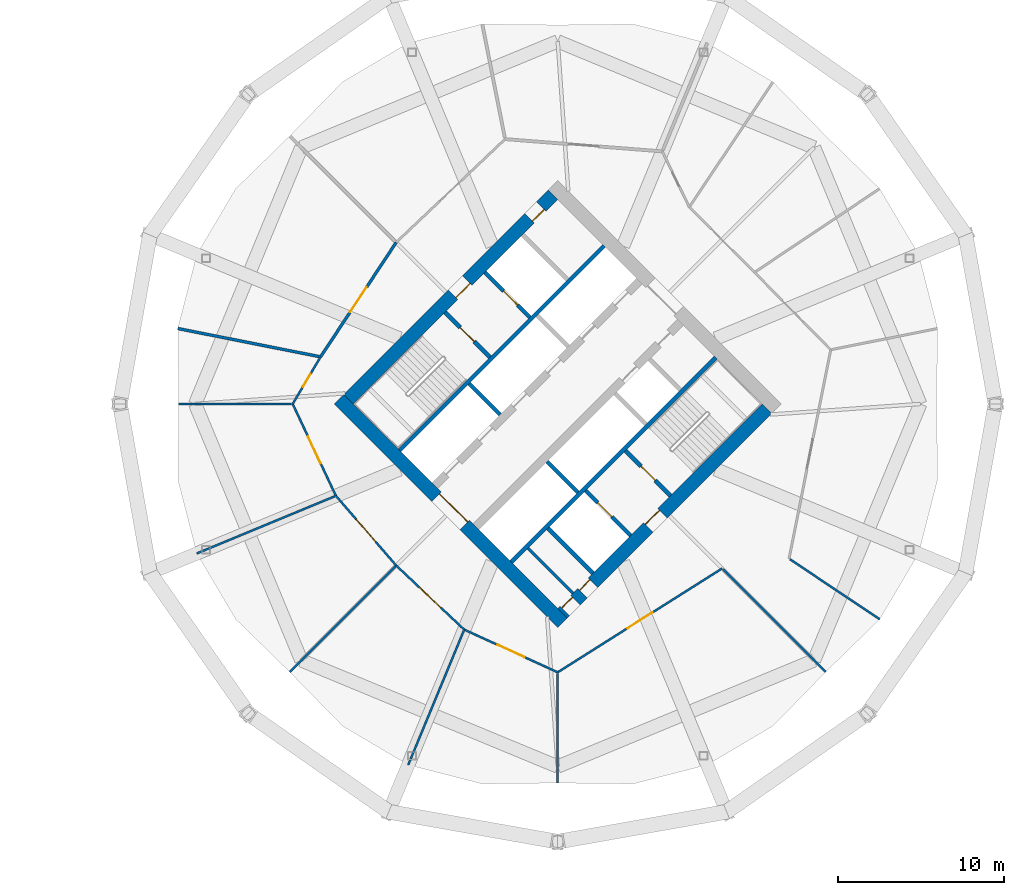
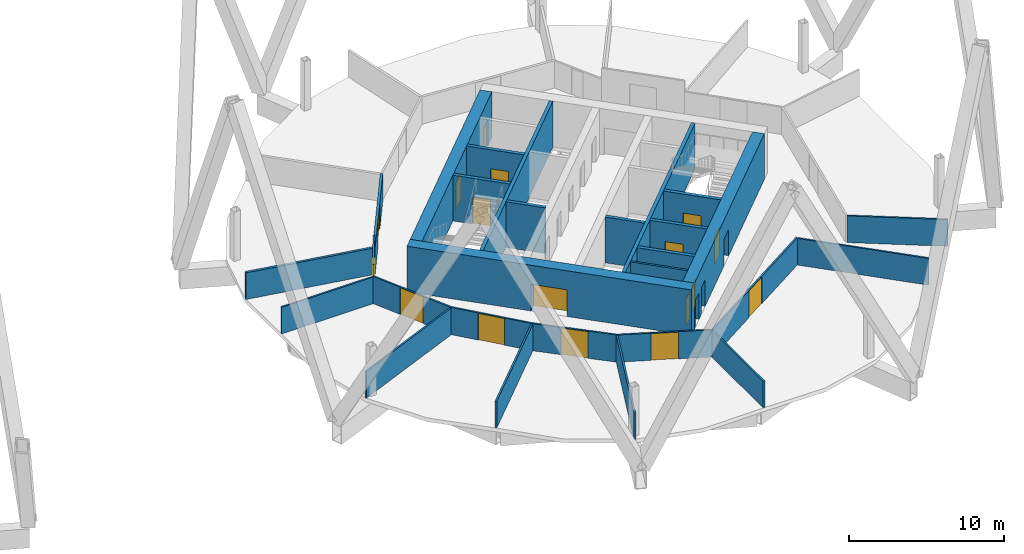
# One storey, part 6 of 9: 28 walls, 17 doors, 17 openings.
"""IFC4 building model written with IfcOpenShell, lengths in metres."""

from ifc_helpers import new_model, si_unit, direction, frame, frame_2d, origin, place, context, subcontext, project, spatial, rectangle, extrude, material, layer, layer_set, type_object, element, fill, save


model = new_model("IFC4")

# Units and contexts
model_context = context("Model", 3, precision=1e-05, world=origin(), true_north=direction((0.0, 1.0)))
body_context = subcontext(model_context, "Body", "Model", "MODEL_VIEW")
ifc_project = project(units=[si_unit("LENGTHUNIT", "METRE"), si_unit("AREAUNIT", "SQUARE_METRE"), si_unit("VOLUMEUNIT", "CUBIC_METRE"), si_unit("PLANEANGLEUNIT", "RADIAN"), si_unit("MASSUNIT", "GRAM", prefix="KILO")], contexts=[model_context])

# Site, building, storey
site_placement = place(None, origin())
site = spatial("IfcSite", under=ifc_project, at=site_placement, CompositionType="ELEMENT")
building_placement = place(site_placement, origin())
building = spatial("IfcBuilding", under=site, at=building_placement, Name="Ogive Gate Towers", CompositionType="ELEMENT")
storey_placement = place(building_placement, frame((0.0, 0.0, 51.89990234375)))
storey = spatial("IfcBuildingStorey", under=building, at=storey_placement, Name="L11", CompositionType="ELEMENT", Elevation=51.89990234375)

# Wall
ifc_material_1 = material(Name="Gypsum board acoustic partition")
ifc_layer_1 = layer(ifc_material_1, 0.175048828125)
ifc_layer_set_1 = layer_set([ifc_layer_1], Name="Acoustic partition 175")
wall_type_1 = type_object("IfcWallType", Name="Acoustic partition 175", PredefinedType="PARTITIONING", material=ifc_layer_set_1)
wall_1_placement = place(storey_placement, frame((13.146728515625, 4.5380859375, 0.0), z_axis=(0.0, 0.0, 1.0), x_axis=(0.980848307459, -0.194773195677, 0.0)))
element("IfcWall", 1, at=wall_1_placement, inside=storey, type_object=wall_type_1, Name="Partition T2-L11-007", PredefinedType="PARTITIONING", context=body_context, shape_type="SweptSolid", body=[
    extrude(rectangle(XDim=8.67138671875, YDim=0.175048828125, at=frame_2d((4.335693359375, 0.0))), origin(), (0.0, 0.0, 1.0), 2.10009765625),
])

# Wall, opening, door
wall_2_placement = place(storey_placement, frame((26.284423828125, 9.715576171875, 0.0), z_axis=(0.0, 0.0, 1.0), x_axis=(-0.551136963792, -0.834414793219, 0.0)))
wall_2 = element("IfcWall", 2, at=wall_2_placement, inside=storey, type_object=wall_type_1, Name="Partition T2-L11-021", PredefinedType="PARTITIONING", context=body_context, shape_type="SweptSolid", body=[
    extrude(rectangle(XDim=8.24951171875, YDim=0.175048828125, at=frame_2d((4.124755859375, 0.0))), origin(), (0.0, 0.0, 1.0), 2.14013671875),
])
opening_1_placement = place(wall_2_placement, frame((3.22509765625, 0.0, 0.0)))
opening_1 = element("IfcOpeningElement", 3, at=opening_1_placement, cuts=wall_2, Name="Opening T2-L11-D07", PredefinedType="OPENING", context=body_context, shape_type="SweptSolid", body=[
    extrude(rectangle(XDim=1.800048828125, YDim=2.10009765625, at=frame_2d((0.89990234375, 1.050048828125))), frame((0.0, 0.09765625, 0.0), z_axis=(0.0, -1.0, 0.0), x_axis=(1.0, 0.0, 0.0)), (0.0, 0.0, 1.0), 0.195068359375),
])
ifc_material_2 = material(Name="Timber door", Category="wood")
door_type_1 = type_object("IfcDoorType", Name="Door pair 1800", OperationType="NOTDEFINED", PredefinedType="DOOR", material=ifc_material_2)
door_1_placement = place(opening_1_placement, origin())
door_1 = element("IfcDoor", 4, at=door_1_placement, inside=storey, type_object=door_type_1, Name="Door T2-L11-D07", OperationType="DOUBLE_DOOR_DOUBLE_SWING", OverallHeight=2.10009765625, OverallWidth=1.800048828125, PredefinedType="DOOR", context=body_context, shape_type="SweptSolid", body=[
    extrude(rectangle(XDim=1.800048828125, YDim=2.10009765625, at=frame_2d((0.89990234375, 1.050048828125))), frame((0.0, 0.02490234375, 0.0), z_axis=(0.0, -1.0, 0.0), x_axis=(1.0, 0.0, 0.0)), (0.0, 0.0, 1.0), 0.050048828125),
])
fill(opening_1, door_1)

# Wall, openings, doors
ifc_material_3 = material(Name="Concrete C60/75", Category="concrete")
ifc_layer_2 = layer(ifc_material_3, 0.800048828125)
ifc_layer_set_2 = layer_set([ifc_layer_2], Name="Core wall 800 mm")
wall_type_2 = type_object("IfcWallType", Name="Core wall 800 mm", PredefinedType="SHEAR", material=ifc_layer_set_2)
wall_3_placement = place(storey_placement, frame((36.28271484375, -12.58642578125, 0.0), z_axis=(0.0, 0.0, 1.0), x_axis=(0.707106781187, 0.707106781187, 0.0)))
wall_3 = element("IfcWall", 5, at=wall_3_placement, inside=storey, type_object=wall_type_2, Name="T2 L11 Core wall 800 mm", PredefinedType="SHEAR", context=body_context, shape_type="SweptSolid", body=[
    extrude(rectangle(XDim=17.400146484375, YDim=0.800048828125, at=frame_2d((8.7001953125, 0.0))), origin(), (0.0, 0.0, 1.0), 3.60009765625),
])
opening_2_placement = place(wall_3_placement, frame((7.300048828125, 0.0, 0.0)))
opening_2 = element("IfcOpeningElement", 6, at=opening_2_placement, cuts=wall_3, Name="Opening KD-T2-L11-16", PredefinedType="OPENING", context=body_context, shape_type="SweptSolid", body=[
    extrude(rectangle(XDim=1.199951171875, YDim=2.10009765625, at=frame_2d((0.60009765625, 1.050048828125))), frame((0.0, 0.41015625, 0.0), z_axis=(0.0, -1.0, 0.0), x_axis=(1.0, 0.0, 0.0)), (0.0, 0.0, 1.0), 0.820068359375),
])
opening_3_placement = place(wall_3_placement, frame((0.199951171875, 0.0, 0.0)))
opening_3 = element("IfcOpeningElement", 7, at=opening_3_placement, cuts=wall_3, Name="Opening KD-T2-L11-18", PredefinedType="OPENING", context=body_context, shape_type="SweptSolid", body=[
    extrude(rectangle(XDim=0.89990234375, YDim=2.10009765625, at=frame_2d((0.449951171875, 1.050048828125))), frame((0.0, 0.41015625, 0.0), z_axis=(0.0, -1.0, 0.0), x_axis=(1.0, 0.0, 0.0)), (0.0, 0.0, 1.0), 0.820068359375),
])
opening_4_placement = place(wall_3_placement, frame((1.699951171875, 0.0, 0.0)))
opening_4 = element("IfcOpeningElement", 8, at=opening_4_placement, cuts=wall_3, Name="Opening KD-T2-L11-19", PredefinedType="OPENING", context=body_context, shape_type="SweptSolid", body=[
    extrude(rectangle(XDim=0.89990234375, YDim=2.10009765625, at=frame_2d((0.449951171875, 1.050048828125))), frame((0.0, 0.41015625, 0.0), z_axis=(0.0, -1.0, 0.0), x_axis=(1.0, 0.0, 0.0)), (0.0, 0.0, 1.0), 0.820068359375),
])
door_type_2 = type_object("IfcDoorType", Name="Core WC door 900 x 2100", OperationType="NOTDEFINED", PredefinedType="DOOR", material=ifc_material_2)
door_2_placement = place(opening_3_placement, origin())
door_2 = element("IfcDoor", 9, at=door_2_placement, inside=storey, type_object=door_type_2, Name="T2 L11 Core door", OperationType="SINGLE_SWING_LEFT", OverallHeight=2.10009765625, OverallWidth=0.89990234375, PredefinedType="DOOR", context=body_context, shape_type="SweptSolid", body=[
    extrude(rectangle(XDim=0.89990234375, YDim=2.10009765625, at=frame_2d((0.449951171875, 1.050048828125))), frame((0.0, 0.27490234375, 0.0), z_axis=(0.0, -1.0, 0.0), x_axis=(1.0, 0.0, 0.0)), (0.0, 0.0, 1.0), 0.050048828125),
])
fill(opening_3, door_2)
door_3_placement = place(opening_4_placement, origin())
door_3 = element("IfcDoor", 10, at=door_3_placement, inside=storey, type_object=door_type_2, Name="T2 L11 Core door", OperationType="SINGLE_SWING_RIGHT", OverallHeight=2.10009765625, OverallWidth=0.89990234375, PredefinedType="DOOR", context=body_context, shape_type="SweptSolid", body=[
    extrude(rectangle(XDim=0.89990234375, YDim=2.10009765625, at=frame_2d((0.449951171875, 1.050048828125))), frame((0.0, 0.27490234375, 0.0), z_axis=(0.0, -1.0, 0.0), x_axis=(1.0, 0.0, 0.0)), (0.0, 0.0, 1.0), 0.050048828125),
])
fill(opening_4, door_3)
ifc_material_4 = material(Name="Steel fire door", Category="steel")
door_type_3 = type_object("IfcDoorType", Name="Core door FD60S 1200 x 2100", OperationType="NOTDEFINED", PredefinedType="DOOR", material=ifc_material_4)
door_4_placement = place(opening_2_placement, origin())
door_4 = element("IfcDoor", 11, at=door_4_placement, inside=storey, type_object=door_type_3, Name="T2 L11 Fire-fighting lobby door", OperationType="SINGLE_SWING_LEFT", OverallHeight=2.10009765625, OverallWidth=1.199951171875, PredefinedType="DOOR", context=body_context, shape_type="SweptSolid", body=[
    extrude(rectangle(XDim=1.199951171875, YDim=2.10009765625, at=frame_2d((0.60009765625, 1.050048828125))), frame((0.0, 0.27490234375, 0.0), z_axis=(0.0, -1.0, 0.0), x_axis=(1.0, 0.0, 0.0)), (0.0, 0.0, 1.0), 0.050048828125),
])
fill(opening_2, door_4)

wall_4_placement = place(storey_placement, frame((23.41357421875, 0.28271484375, 0.0), z_axis=(0.0, 0.0, 1.0), x_axis=(0.707106781187, 0.707106781187, 0.0)))
wall_4 = element("IfcWall", 12, at=wall_4_placement, inside=storey, type_object=wall_type_2, Name="T2 L11 Core wall 800 mm", PredefinedType="SHEAR", context=body_context, shape_type="SweptSolid", body=[
    extrude(rectangle(XDim=17.400146484375, YDim=0.800048828125, at=frame_2d((8.7001953125, 0.0))), origin(), (0.0, 0.0, 1.0), 3.60009765625),
])
opening_5_placement = place(wall_4_placement, frame((8.89990234375, 0.0, 0.0)))
opening_5 = element("IfcOpeningElement", 13, at=opening_5_placement, cuts=wall_4, Name="Opening KD-T2-L11-15", PredefinedType="OPENING", context=body_context, shape_type="SweptSolid", body=[
    extrude(rectangle(XDim=1.199951171875, YDim=2.10009765625, at=frame_2d((0.60009765625, 1.050048828125))), frame((0.0, 0.41015625, 0.0), z_axis=(0.0, -1.0, 0.0), x_axis=(1.0, 0.0, 0.0)), (0.0, 0.0, 1.0), 0.820068359375),
])
opening_6_placement = place(wall_4_placement, frame((15.39990234375, 0.0, 0.0)))
opening_6 = element("IfcOpeningElement", 14, at=opening_6_placement, cuts=wall_4, Name="Opening KD-T2-L11-17", PredefinedType="OPENING", context=body_context, shape_type="SweptSolid", body=[
    extrude(rectangle(XDim=1.0, YDim=2.10009765625, at=frame_2d((0.5, 1.050048828125))), frame((0.0, 0.41015625, 0.0), z_axis=(0.0, -1.0, 0.0), x_axis=(1.0, 0.0, 0.0)), (0.0, 0.0, 1.0), 0.820068359375),
])
door_type_4 = type_object("IfcDoorType", Name="Accessible WC door 1000 x 2100", OperationType="NOTDEFINED", PredefinedType="DOOR", material=ifc_material_2)
door_5_placement = place(opening_6_placement, origin())
door_5 = element("IfcDoor", 15, at=door_5_placement, inside=storey, type_object=door_type_4, Name="T2 L11 Core door", OperationType="SINGLE_SWING_RIGHT", OverallHeight=2.10009765625, OverallWidth=1.0, PredefinedType="DOOR", context=body_context, shape_type="SweptSolid", body=[
    extrude(rectangle(XDim=1.0, YDim=2.10009765625, at=frame_2d((0.5, 1.050048828125))), frame((0.0, -0.22509765625, 0.0), z_axis=(0.0, -1.0, 0.0), x_axis=(1.0, 0.0, 0.0)), (0.0, 0.0, 1.0), 0.050048828125),
])
fill(opening_6, door_5)
door_6_placement = place(opening_5_placement, origin())
door_6 = element("IfcDoor", 16, at=door_6_placement, inside=storey, type_object=door_type_3, Name="T2 L11 Fire-fighting lobby door", OperationType="SINGLE_SWING_RIGHT", OverallHeight=2.10009765625, OverallWidth=1.199951171875, PredefinedType="DOOR", context=body_context, shape_type="SweptSolid", body=[
    extrude(rectangle(XDim=1.199951171875, YDim=2.10009765625, at=frame_2d((0.60009765625, 1.050048828125))), frame((0.0, -0.22509765625, 0.0), z_axis=(0.0, -1.0, 0.0), x_axis=(1.0, 0.0, 0.0)), (0.0, 0.0, 1.0), 0.050048828125),
])
fill(opening_5, door_6)

# Wall, opening, door
wall_5_placement = place(storey_placement, frame((36.28271484375, -13.152099609375, 0.0), z_axis=(0.0, 0.0, 1.0), x_axis=(-0.707106781187, 0.707106781187, 0.0)))
wall_5 = element("IfcWall", 17, at=wall_5_placement, inside=storey, type_object=wall_type_2, Name="T2 L11 Core wall 800 mm", PredefinedType="SHEAR", context=body_context, shape_type="SweptSolid", body=[
    extrude(rectangle(XDim=18.999755859375, YDim=0.800048828125, at=frame_2d((9.5, 0.0))), origin(), (0.0, 0.0, 1.0), 3.60009765625),
])
opening_7_placement = place(wall_5_placement, frame((8.300048828125, 0.0, 0.0)))
opening_7 = element("IfcOpeningElement", 18, at=opening_7_placement, cuts=wall_5, Name="Opening KD-T2-L11-01", PredefinedType="OPENING", context=body_context, shape_type="SweptSolid", body=[
    extrude(rectangle(XDim=2.39990234375, YDim=2.10009765625, at=frame_2d((1.199951171875, 1.050048828125))), frame((0.0, 0.41015625, 0.0), z_axis=(0.0, -1.0, 0.0), x_axis=(1.0, 0.0, 0.0)), (0.0, 0.0, 1.0), 0.820068359375),
])
door_type_5 = type_object("IfcDoorType", Name="Core double door FD60S 2400 x 2100", OperationType="DOUBLE_DOOR_SINGLE_SWING", PredefinedType="DOOR", material=ifc_material_4)
door_7_placement = place(opening_7_placement, origin())
door_7 = element("IfcDoor", 19, at=door_7_placement, inside=storey, type_object=door_type_5, Name="T2 L11 Core door double", OperationType="DOUBLE_DOOR_SINGLE_SWING", OverallHeight=2.10009765625, OverallWidth=2.39990234375, PredefinedType="DOOR", context=body_context, shape_type="SweptSolid", body=[
    extrude(rectangle(XDim=2.39990234375, YDim=2.10009765625, at=frame_2d((1.199951171875, 1.050048828125))), frame((0.0, -0.22509765625, 0.0), z_axis=(0.0, -1.0, 0.0), x_axis=(1.0, 0.0, 0.0)), (0.0, 0.0, 1.0), 0.050048828125),
])
fill(opening_7, door_7)

# Walls
ifc_material_5 = material(Name="Gypsum board partition")
ifc_layer_3 = layer(ifc_material_5, 0.125)
ifc_layer_set_3 = layer_set([ifc_layer_3], Name="Partition 125")
wall_type_3 = type_object("IfcWallType", Name="Partition 125", PredefinedType="PARTITIONING", material=ifc_layer_set_3)
wall_6_placement = place(storey_placement, frame((13.200927734375, 0.0, 0.0), z_axis=(0.0, 0.0, 1.0), x_axis=(1.0, 0.0, 0.0)))
element("IfcWall", 20, at=wall_6_placement, inside=storey, type_object=wall_type_3, Name="Partition T2-L11-008", PredefinedType="PARTITIONING", context=body_context, shape_type="SweptSolid", body=[
    extrude(rectangle(XDim=6.796630859375, YDim=0.125, at=frame_2d((3.3984375, 0.0))), origin(), (0.0, 0.0, 1.0), 2.10009765625),
])
for number, where, z_axis, x_axis, name in (
    (21, (14.288818359375, -8.992919921875, 0.0), (0.0, 0.0, 1.0), (0.923888174314, 0.382662568542, 0.0), "Partition T2-L11-009"),
    (22, (19.878662109375, -16.121337890625, 0.0), (0.0, 0.0, 1.0), (0.707106781187, 0.707106781187, 0.0), "Partition T2-L11-010"),
):
    element("IfcWall", number, at=place(storey_placement, frame(where, z_axis=z_axis, x_axis=x_axis)), inside=storey, type_object=wall_type_3, Name=name, PredefinedType="PARTITIONING", context=body_context, shape_type="SweptSolid", body=[
        extrude(rectangle(XDim=8.99658203125, YDim=0.125, at=frame_2d((4.498291015625, 0.0))), origin(), (0.0, 0.0, 1.0), 2.10009765625),
    ])
wall_7_placement = place(storey_placement, frame((27.007080078125, -21.711181640625, 0.0), z_axis=(0.0, 0.0, 1.0), x_axis=(0.382668172196, 0.923885853333, 0.0)))
element("IfcWall", 23, at=wall_7_placement, inside=storey, type_object=wall_type_3, Name="Partition T2-L11-011", PredefinedType="PARTITIONING", context=body_context, shape_type="SweptSolid", body=[
    extrude(rectangle(XDim=8.746337890625, YDim=0.125, at=frame_2d((4.373046875, 0.0))), origin(), (0.0, 0.0, 1.0), 2.10009765625),
])
wall_8_placement = place(storey_placement, frame((36.0, -22.799072265625, 0.0), z_axis=(0.0, 0.0, 1.0), x_axis=(0.0, 1.0, 0.0)))
element("IfcWall", 24, at=wall_8_placement, inside=storey, type_object=wall_type_3, Name="Partition T2-L11-012", PredefinedType="PARTITIONING", context=body_context, shape_type="SweptSolid", body=[
    extrude(rectangle(XDim=6.5966796875, YDim=0.125, at=frame_2d((3.29833984375, 0.0))), origin(), (0.0, 0.0, 1.0), 2.10009765625),
])
wall_9_placement = place(storey_placement, frame((52.121337890625, -16.121337890625, 0.0), z_axis=(0.0, 0.0, 1.0), x_axis=(-0.707106781187, 0.707106781187, 0.0)))
element("IfcWall", 25, at=wall_9_placement, inside=storey, type_object=wall_type_3, Name="Partition T2-L11-013", PredefinedType="PARTITIONING", context=body_context, shape_type="SweptSolid", body=[
    extrude(rectangle(XDim=8.74658203125, YDim=0.125, at=frame_2d((4.373291015625, 0.0))), origin(), (0.0, 0.0, 1.0), 2.10009765625),
])
wall_10_placement = place(storey_placement, frame((55.36865234375, -12.950927734375, 0.0), z_axis=(0.0, 0.0, 1.0), x_axis=(-0.831280540128, 0.555853095345, 0.0)))
element("IfcWall", 26, at=wall_10_placement, inside=storey, type_object=wall_type_3, Name="Partition T2-L11-014", PredefinedType="PARTITIONING", context=body_context, shape_type="SweptSolid", body=[
    extrude(rectangle(XDim=6.49658203125, YDim=0.125, at=frame_2d((3.248291015625, 0.0))), origin(), (0.0, 0.0, 1.0), 2.10009765625),
])

# Wall, opening, door
wall_11_placement = place(storey_placement, frame((21.73779296875, 2.83203125, 0.0), z_axis=(0.0, 0.0, 1.0), x_axis=(-0.509688534726, -0.860358993426, 0.0)))
wall_11 = element("IfcWall", 27, at=wall_11_placement, inside=storey, type_object=wall_type_3, Name="Partition T2-L11-022", PredefinedType="PARTITIONING", context=body_context, shape_type="SweptSolid", body=[
    extrude(rectangle(XDim=3.291748046875, YDim=0.125, at=frame_2d((1.64599609375, 0.0))), origin(), (0.0, 0.0, 1.0), 3.050048828125),
])
opening_8_placement = place(wall_11_placement, frame((1.196044921875, 0.0, 0.0)))
opening_8 = element("IfcOpeningElement", 28, at=opening_8_placement, cuts=wall_11, Name="Opening T2-L11-D08", PredefinedType="OPENING", context=body_context, shape_type="SweptSolid", body=[
    extrude(rectangle(XDim=0.89990234375, YDim=2.10009765625, at=frame_2d((0.449951171875, 1.050048828125))), frame((0.0, 0.072509765625, 0.0), z_axis=(0.0, -1.0, 0.0), x_axis=(1.0, 0.0, 0.0)), (0.0, 0.0, 1.0), 0.14501953125),
])
door_type_6 = type_object("IfcDoorType", Name="Door 900", OperationType="NOTDEFINED", PredefinedType="DOOR", material=ifc_material_2)
door_8_placement = place(opening_8_placement, origin())
door_8 = element("IfcDoor", 29, at=door_8_placement, inside=storey, type_object=door_type_6, Name="Door T2-L11-D08", OperationType="SINGLE_SWING_RIGHT", OverallHeight=2.10009765625, OverallWidth=0.89990234375, PredefinedType="DOOR", context=body_context, shape_type="SweptSolid", body=[
    extrude(rectangle(XDim=0.89990234375, YDim=2.10009765625, at=frame_2d((0.449951171875, 1.050048828125))), frame((0.0, 0.02490234375, 0.0), z_axis=(0.0, -1.0, 0.0), x_axis=(1.0, 0.0, 0.0)), (0.0, 0.0, 1.0), 0.050048828125),
])
fill(opening_8, door_8)

wall_12_placement = place(storey_placement, frame((20.06005859375, 0.0, 0.0), z_axis=(0.0, 0.0, 1.0), x_axis=(0.425461994667, -0.904976293111, 0.0)))
wall_12 = element("IfcWall", 30, at=wall_12_placement, inside=storey, type_object=wall_type_3, Name="Partition T2-L11-023", PredefinedType="PARTITIONING", context=body_context, shape_type="SweptSolid", body=[
    extrude(rectangle(XDim=6.106689453125, YDim=0.125, at=frame_2d((3.05322265625, 0.0))), origin(), (0.0, 0.0, 1.0), 2.14013671875),
])
opening_9_placement = place(wall_12_placement, frame((2.153076171875, 0.0, 0.0)))
opening_9 = element("IfcOpeningElement", 31, at=opening_9_placement, cuts=wall_12, Name="Opening T2-L11-D09", PredefinedType="OPENING", context=body_context, shape_type="SweptSolid", body=[
    extrude(rectangle(XDim=1.800048828125, YDim=2.10009765625, at=frame_2d((0.89990234375, 1.050048828125))), frame((0.0, 0.072509765625, 0.0), z_axis=(0.0, -1.0, 0.0), x_axis=(1.0, 0.0, 0.0)), (0.0, 0.0, 1.0), 0.14501953125),
])
door_9_placement = place(opening_9_placement, origin())
door_9 = element("IfcDoor", 32, at=door_9_placement, inside=storey, type_object=door_type_1, Name="Door T2-L11-D09", OperationType="DOUBLE_DOOR_DOUBLE_SWING", OverallHeight=2.10009765625, OverallWidth=1.800048828125, PredefinedType="DOOR", context=body_context, shape_type="SweptSolid", body=[
    extrude(rectangle(XDim=1.800048828125, YDim=2.10009765625, at=frame_2d((0.89990234375, 1.050048828125))), frame((0.0, 0.02490234375, 0.0), z_axis=(0.0, -1.0, 0.0), x_axis=(1.0, 0.0, 0.0)), (0.0, 0.0, 1.0), 0.050048828125),
])
fill(opening_9, door_9)

wall_13_placement = place(storey_placement, frame((22.658203125, -5.5263671875, 0.0), z_axis=(0.0, 0.0, 1.0), x_axis=(0.654474127671, -0.756084397544, 0.0)))
wall_13 = element("IfcWall", 33, at=wall_13_placement, inside=storey, type_object=wall_type_3, Name="Partition T2-L11-024", PredefinedType="PARTITIONING", context=body_context, shape_type="SweptSolid", body=[
    extrude(rectangle(XDim=5.540771484375, YDim=0.125, at=frame_2d((2.7705078125, 0.0))), origin(), (0.0, 0.0, 1.0), 2.14013671875),
])
opening_10_placement = place(wall_13_placement, frame((1.8701171875, 0.0, 0.0)))
opening_10 = element("IfcOpeningElement", 34, at=opening_10_placement, cuts=wall_13, Name="Opening T2-L11-D10", PredefinedType="OPENING", context=body_context, shape_type="SweptSolid", body=[
    extrude(rectangle(XDim=1.800048828125, YDim=2.10009765625, at=frame_2d((0.89990234375, 1.050048828125))), frame((0.0, 0.072509765625, 0.0), z_axis=(0.0, -1.0, 0.0), x_axis=(1.0, 0.0, 0.0)), (0.0, 0.0, 1.0), 0.14501953125),
])
door_10_placement = place(opening_10_placement, origin())
door_10 = element("IfcDoor", 35, at=door_10_placement, inside=storey, type_object=door_type_1, Name="Door T2-L11-D10", OperationType="DOUBLE_DOOR_DOUBLE_SWING", OverallHeight=2.10009765625, OverallWidth=1.800048828125, PredefinedType="DOOR", context=body_context, shape_type="SweptSolid", body=[
    extrude(rectangle(XDim=1.800048828125, YDim=2.10009765625, at=frame_2d((0.89990234375, 1.050048828125))), frame((0.0, 0.02490234375, 0.0), z_axis=(0.0, -1.0, 0.0), x_axis=(1.0, 0.0, 0.0)), (0.0, 0.0, 1.0), 0.050048828125),
])
fill(opening_10, door_10)

wall_14_placement = place(storey_placement, frame((26.284423828125, -9.715576171875, 0.0), z_axis=(0.0, 0.0, 1.0), x_axis=(0.727803553967, -0.685785671207, 0.0)))
wall_14 = element("IfcWall", 36, at=wall_14_placement, inside=storey, type_object=wall_type_3, Name="Partition T2-L11-025", PredefinedType="PARTITIONING", context=body_context, shape_type="SweptSolid", body=[
    extrude(rectangle(XDim=5.62451171875, YDim=0.125, at=frame_2d((2.812255859375, 0.0))), origin(), (0.0, 0.0, 1.0), 2.14013671875),
])
opening_11_placement = place(wall_14_placement, frame((1.912109375, 0.0, 0.0)))
opening_11 = element("IfcOpeningElement", 37, at=opening_11_placement, cuts=wall_14, Name="Opening T2-L11-D11", PredefinedType="OPENING", context=body_context, shape_type="SweptSolid", body=[
    extrude(rectangle(XDim=1.800048828125, YDim=2.10009765625, at=frame_2d((0.89990234375, 1.050048828125))), frame((0.0, 0.072509765625, 0.0), z_axis=(0.0, -1.0, 0.0), x_axis=(1.0, 0.0, 0.0)), (0.0, 0.0, 1.0), 0.14501953125),
])
door_11_placement = place(opening_11_placement, origin())
door_11 = element("IfcDoor", 38, at=door_11_placement, inside=storey, type_object=door_type_1, Name="Door T2-L11-D11", OperationType="DOUBLE_DOOR_DOUBLE_SWING", OverallHeight=2.10009765625, OverallWidth=1.800048828125, PredefinedType="DOOR", context=body_context, shape_type="SweptSolid", body=[
    extrude(rectangle(XDim=1.800048828125, YDim=2.10009765625, at=frame_2d((0.89990234375, 1.050048828125))), frame((0.0, 0.02490234375, 0.0), z_axis=(0.0, -1.0, 0.0), x_axis=(1.0, 0.0, 0.0)), (0.0, 0.0, 1.0), 0.050048828125),
])
fill(opening_11, door_11)

wall_15_placement = place(storey_placement, frame((30.3779296875, -13.57275390625, 0.0), z_axis=(0.0, 0.0, 1.0), x_axis=(0.909654910029, -0.415364833201, 0.0)))
wall_15 = element("IfcWall", 39, at=wall_15_placement, inside=storey, type_object=wall_type_3, Name="Partition T2-L11-026", PredefinedType="PARTITIONING", context=body_context, shape_type="SweptSolid", body=[
    extrude(rectangle(XDim=6.180419921875, YDim=0.125, at=frame_2d((3.09033203125, 0.0))), origin(), (0.0, 0.0, 1.0), 2.14013671875),
])
opening_12_placement = place(wall_15_placement, frame((2.18994140625, 0.0, 0.0)))
opening_12 = element("IfcOpeningElement", 40, at=opening_12_placement, cuts=wall_15, Name="Opening T2-L11-D12", PredefinedType="OPENING", context=body_context, shape_type="SweptSolid", body=[
    extrude(rectangle(XDim=1.800048828125, YDim=2.10009765625, at=frame_2d((0.89990234375, 1.050048828125))), frame((0.0, 0.072509765625, 0.0), z_axis=(0.0, -1.0, 0.0), x_axis=(1.0, 0.0, 0.0)), (0.0, 0.0, 1.0), 0.14501953125),
])
door_12_placement = place(opening_12_placement, origin())
door_12 = element("IfcDoor", 41, at=door_12_placement, inside=storey, type_object=door_type_1, Name="Door T2-L11-D12", OperationType="DOUBLE_DOOR_DOUBLE_SWING", OverallHeight=2.10009765625, OverallWidth=1.800048828125, PredefinedType="DOOR", context=body_context, shape_type="SweptSolid", body=[
    extrude(rectangle(XDim=1.800048828125, YDim=2.10009765625, at=frame_2d((0.89990234375, 1.050048828125))), frame((0.0, 0.02490234375, 0.0), z_axis=(0.0, -1.0, 0.0), x_axis=(1.0, 0.0, 0.0)), (0.0, 0.0, 1.0), 0.050048828125),
])
fill(opening_12, door_12)

wall_16_placement = place(storey_placement, frame((36.0, -16.139892578125, 0.0), z_axis=(0.0, 0.0, 1.0), x_axis=(0.845497828076, 0.533978859805, 0.0)))
wall_16 = element("IfcWall", 42, at=wall_16_placement, inside=storey, type_object=wall_type_3, Name="Partition T2-L11-027", PredefinedType="PARTITIONING", context=body_context, shape_type="SweptSolid", body=[
    extrude(rectangle(XDim=11.699951171875, YDim=0.125, at=frame_2d((5.85009765625, 0.0))), origin(), (0.0, 0.0, 1.0), 2.14013671875),
])
opening_13_placement = place(wall_16_placement, frame((4.949951171875, 0.0, 0.0)))
opening_13 = element("IfcOpeningElement", 43, at=opening_13_placement, cuts=wall_16, Name="Opening T2-L11-D13", PredefinedType="OPENING", context=body_context, shape_type="SweptSolid", body=[
    extrude(rectangle(XDim=1.800048828125, YDim=2.10009765625, at=frame_2d((0.89990234375, 1.050048828125))), frame((0.0, 0.072509765625, 0.0), z_axis=(0.0, -1.0, 0.0), x_axis=(1.0, 0.0, 0.0)), (0.0, 0.0, 1.0), 0.14501953125),
])
door_13_placement = place(opening_13_placement, origin())
door_13 = element("IfcDoor", 44, at=door_13_placement, inside=storey, type_object=door_type_1, Name="Door T2-L11-D13", OperationType="DOUBLE_DOOR_DOUBLE_SWING", OverallHeight=2.10009765625, OverallWidth=1.800048828125, PredefinedType="DOOR", context=body_context, shape_type="SweptSolid", body=[
    extrude(rectangle(XDim=1.800048828125, YDim=2.10009765625, at=frame_2d((0.89990234375, 1.050048828125))), frame((0.0, 0.02490234375, 0.0), z_axis=(0.0, -1.0, 0.0), x_axis=(1.0, 0.0, 0.0)), (0.0, 0.0, 1.0), 0.050048828125),
])
fill(opening_13, door_13)

# Walls
ifc_layer_4 = layer(ifc_material_5, 0.14990234375)
ifc_layer_set_4 = layer_set([ifc_layer_4], Name="Room partition 150 mm")
wall_type_4 = type_object("IfcWallType", Name="Room partition 150 mm", PredefinedType="PARTITIONING", material=ifc_layer_set_4)
wall_17_placement = place(storey_placement, frame((36.919189453125, -11.384521484375, 0.0), z_axis=(0.0, 0.0, 1.0), x_axis=(-0.707074866995, 0.707138693938, 0.0)))
element("IfcWall", 45, at=wall_17_placement, inside=storey, type_object=wall_type_4, Name="T2 L11 Room partition 150 mm", PredefinedType="PARTITIONING", context=body_context, shape_type="SweptSolid", body=[
    extrude(rectangle(XDim=3.824951171875, YDim=0.14990234375, at=frame_2d((1.91259765625, 0.0))), origin(), (0.0, 0.0, 1.0), 3.60009765625),
])
ifc_layer_5 = layer(ifc_material_3, 0.25)
ifc_layer_set_5 = layer_set([ifc_layer_5], Name="Shaft wall 250 mm")
wall_type_5 = type_object("IfcWallType", Name="Shaft wall 250 mm", PredefinedType="SHEAR", material=ifc_layer_set_5)
for number, where, z_axis, x_axis, name in (
    (46, (33.206787109375, -9.510498046875, 0.0), (0.0, 0.0, 1.0), (0.707106781187, 0.707106781187, 0.0), "T2 L11 Shaft wall 250 mm"),
    (47, (26.489501953125, -2.793212890625, 0.0), (0.0, 0.0, 1.0), (0.707106781187, 0.707106781187, 0.0), "T2 L11 Shaft wall 250 mm"),
):
    element("IfcWall", number, at=place(storey_placement, frame(where, z_axis=z_axis, x_axis=x_axis)), inside=storey, type_object=wall_type_5, Name=name, PredefinedType="SHEAR", context=body_context, shape_type="SweptSolid", body=[
        extrude(rectangle(XDim=17.400146484375, YDim=0.25, at=frame_2d((8.7001953125, 0.0))), origin(), (0.0, 0.0, 1.0), 3.60009765625),
    ])
wall_18_placement = place(storey_placement, frame((38.121337890625, -10.182373046875, 0.0), z_axis=(0.0, 0.0, 1.0), x_axis=(-0.707138693938, 0.707074866995, 0.0)))
element("IfcWall", 48, at=wall_18_placement, inside=storey, type_object=wall_type_5, Name="T2 L11 Shaft wall 250 mm", PredefinedType="SHEAR", context=body_context, shape_type="SweptSolid", body=[
    extrude(rectangle(XDim=3.824951171875, YDim=0.25, at=frame_2d((1.91259765625, 0.0))), origin(), (0.0, 0.0, 1.0), 3.60009765625),
])
for number, where, z_axis, x_axis, name in (
    (49, (37.2197265625, -5.321044921875, 0.0), (0.0, 0.0, 1.0), (-0.707106781187, 0.707106781187, 0.0), "T2 L11 Shaft wall 250 mm"),
    (50, (32.53515625, -0.636474609375, 0.0), (0.0, 0.0, 1.0), (-0.707106781187, 0.707106781187, 0.0), "T2 L11 Shaft wall 250 mm"),
):
    element("IfcWall", number, at=place(storey_placement, frame(where, z_axis=z_axis, x_axis=x_axis)), inside=storey, type_object=wall_type_5, Name=name, PredefinedType="SHEAR", context=body_context, shape_type="SweptSolid", body=[
        extrude(rectangle(XDim=2.625, YDim=0.25, at=frame_2d((1.3125, 0.0))), origin(), (0.0, 0.0, 1.0), 3.60009765625),
    ])

# Wall, opening, door
wall_19_placement = place(storey_placement, frame((40.384033203125, -7.919677734375, 0.0), z_axis=(0.0, 0.0, 1.0), x_axis=(-0.707074866995, 0.707138693938, 0.0)))
wall_19 = element("IfcWall", 51, at=wall_19_placement, inside=storey, type_object=wall_type_5, Name="T2 L11 Shaft wall 250 mm", PredefinedType="SHEAR", context=body_context, shape_type="SweptSolid", body=[
    extrude(rectangle(XDim=3.824951171875, YDim=0.25, at=frame_2d((1.91259765625, 0.0))), origin(), (0.0, 0.0, 1.0), 3.60009765625),
])
opening_14_placement = place(wall_19_placement, frame((1.60009765625, 0.0, 0.0)))
opening_14 = element("IfcOpeningElement", 52, at=opening_14_placement, cuts=wall_19, Name="Opening LD-T2-L11-11", PredefinedType="OPENING", context=body_context, shape_type="SweptSolid", body=[
    extrude(rectangle(XDim=1.199951171875, YDim=2.10009765625, at=frame_2d((0.60009765625, 1.050048828125))), frame((0.0, 0.135009765625, 0.0), z_axis=(0.0, -1.0, 0.0), x_axis=(1.0, 0.0, 0.0)), (0.0, 0.0, 1.0), 0.27001953125),
])
ifc_material_6 = material(Name="Stainless steel landing door", Category="steel")
door_type_7 = type_object("IfcDoorType", Name="Landing door 1200 x 2100", OperationType="SLIDING_TO_LEFT", PredefinedType="DOOR", material=ifc_material_6)
door_14_placement = place(opening_14_placement, origin())
door_14 = element("IfcDoor", 53, at=door_14_placement, inside=storey, type_object=door_type_7, Name="T2 L11 Lift landing door FF2", OperationType="SLIDING_TO_LEFT", OverallHeight=2.10009765625, OverallWidth=1.199951171875, PredefinedType="DOOR", context=body_context, shape_type="SweptSolid", body=[
    extrude(rectangle(XDim=1.199951171875, YDim=2.10009765625, at=frame_2d((0.60009765625, 1.050048828125))), frame((0.0, 0.02490234375, 0.0), z_axis=(0.0, -1.0, 0.0), x_axis=(1.0, 0.0, 0.0)), (0.0, 0.0, 1.0), 0.050048828125),
])
fill(opening_14, door_14)

wall_20_placement = place(storey_placement, frame((31.91650390625, 2.810791015625, 0.0), z_axis=(0.0, 0.0, 1.0), x_axis=(-0.707106781187, 0.707106781187, 0.0)))
wall_20 = element("IfcWall", 54, at=wall_20_placement, inside=storey, type_object=wall_type_5, Name="T2 L11 Shaft wall 250 mm", PredefinedType="SHEAR", context=body_context, shape_type="SweptSolid", body=[
    extrude(rectangle(XDim=3.824951171875, YDim=0.25, at=frame_2d((1.91259765625, 0.0))), origin(), (0.0, 0.0, 1.0), 3.60009765625),
])
opening_15_placement = place(wall_20_placement, frame((1.324951171875, 0.0, 0.0)))
opening_15 = element("IfcOpeningElement", 55, at=opening_15_placement, cuts=wall_20, Name="Opening KD-T2-L11-13", PredefinedType="OPENING", context=body_context, shape_type="SweptSolid", body=[
    extrude(rectangle(XDim=1.199951171875, YDim=2.10009765625, at=frame_2d((0.60009765625, 1.050048828125))), frame((0.0, 0.135009765625, 0.0), z_axis=(0.0, -1.0, 0.0), x_axis=(1.0, 0.0, 0.0)), (0.0, 0.0, 1.0), 0.27001953125),
])
door_15_placement = place(opening_15_placement, origin())
door_15 = element("IfcDoor", 56, at=door_15_placement, inside=storey, type_object=door_type_3, Name="T2 L11 Stair door", OperationType="SINGLE_SWING_RIGHT", OverallHeight=2.10009765625, OverallWidth=1.199951171875, PredefinedType="DOOR", context=body_context, shape_type="SweptSolid", body=[
    extrude(rectangle(XDim=1.199951171875, YDim=2.10009765625, at=frame_2d((0.60009765625, 1.050048828125))), frame((0.0, 0.02490234375, 0.0), z_axis=(0.0, -1.0, 0.0), x_axis=(1.0, 0.0, 0.0)), (0.0, 0.0, 1.0), 0.050048828125),
])
fill(opening_15, door_15)

wall_21_placement = place(storey_placement, frame((42.7880859375, -5.515380859375, 0.0), z_axis=(0.0, 0.0, 1.0), x_axis=(-0.707106781187, 0.707106781187, 0.0)))
wall_21 = element("IfcWall", 57, at=wall_21_placement, inside=storey, type_object=wall_type_5, Name="T2 L11 Shaft wall 250 mm", PredefinedType="SHEAR", context=body_context, shape_type="SweptSolid", body=[
    extrude(rectangle(XDim=3.824951171875, YDim=0.25, at=frame_2d((1.91259765625, 0.0))), origin(), (0.0, 0.0, 1.0), 3.60009765625),
])
opening_16_placement = place(wall_21_placement, frame((1.300048828125, 0.0, 0.0)))
opening_16 = element("IfcOpeningElement", 58, at=opening_16_placement, cuts=wall_21, Name="Opening KD-T2-L11-14", PredefinedType="OPENING", context=body_context, shape_type="SweptSolid", body=[
    extrude(rectangle(XDim=1.199951171875, YDim=2.10009765625, at=frame_2d((0.60009765625, 1.050048828125))), frame((0.0, 0.135009765625, 0.0), z_axis=(0.0, -1.0, 0.0), x_axis=(1.0, 0.0, 0.0)), (0.0, 0.0, 1.0), 0.27001953125),
])
door_16_placement = place(opening_16_placement, origin())
door_16 = element("IfcDoor", 59, at=door_16_placement, inside=storey, type_object=door_type_3, Name="T2 L11 Stair door", OperationType="SINGLE_SWING_LEFT", OverallHeight=2.10009765625, OverallWidth=1.199951171875, PredefinedType="DOOR", context=body_context, shape_type="SweptSolid", body=[
    extrude(rectangle(XDim=1.199951171875, YDim=2.10009765625, at=frame_2d((0.60009765625, 1.050048828125))), frame((0.0, 0.02490234375, 0.0), z_axis=(0.0, -1.0, 0.0), x_axis=(1.0, 0.0, 0.0)), (0.0, 0.0, 1.0), 0.050048828125),
])
fill(opening_16, door_16)

wall_22_placement = place(storey_placement, frame((34.320556640625, 5.21484375, 0.0), z_axis=(0.0, 0.0, 1.0), x_axis=(-0.707074866995, 0.707138693938, 0.0)))
wall_22 = element("IfcWall", 60, at=wall_22_placement, inside=storey, type_object=wall_type_5, Name="T2 L11 Shaft wall 250 mm", PredefinedType="SHEAR", context=body_context, shape_type="SweptSolid", body=[
    extrude(rectangle(XDim=3.824951171875, YDim=0.25, at=frame_2d((1.91259765625, 0.0))), origin(), (0.0, 0.0, 1.0), 3.60009765625),
])
opening_17_placement = place(wall_22_placement, frame((1.02490234375, 0.0, 0.0)))
opening_17 = element("IfcOpeningElement", 61, at=opening_17_placement, cuts=wall_22, Name="Opening LD-T2-L11-10", PredefinedType="OPENING", context=body_context, shape_type="SweptSolid", body=[
    extrude(rectangle(XDim=1.199951171875, YDim=2.10009765625, at=frame_2d((0.60009765625, 1.050048828125))), frame((0.0, 0.135009765625, 0.0), z_axis=(0.0, -1.0, 0.0), x_axis=(1.0, 0.0, 0.0)), (0.0, 0.0, 1.0), 0.27001953125),
])
door_17_placement = place(opening_17_placement, origin())
door_17 = element("IfcDoor", 62, at=door_17_placement, inside=storey, type_object=door_type_7, Name="T2 L11 Lift landing door FF1", OperationType="SLIDING_TO_LEFT", OverallHeight=2.10009765625, OverallWidth=1.199951171875, PredefinedType="DOOR", context=body_context, shape_type="SweptSolid", body=[
    extrude(rectangle(XDim=1.199951171875, YDim=2.10009765625, at=frame_2d((0.60009765625, 1.050048828125))), frame((0.0, 0.02490234375, 0.0), z_axis=(0.0, -1.0, 0.0), x_axis=(1.0, 0.0, 0.0)), (0.0, 0.0, 1.0), 0.050048828125),
])
fill(opening_17, door_17)

save(model, "model.ifc")
